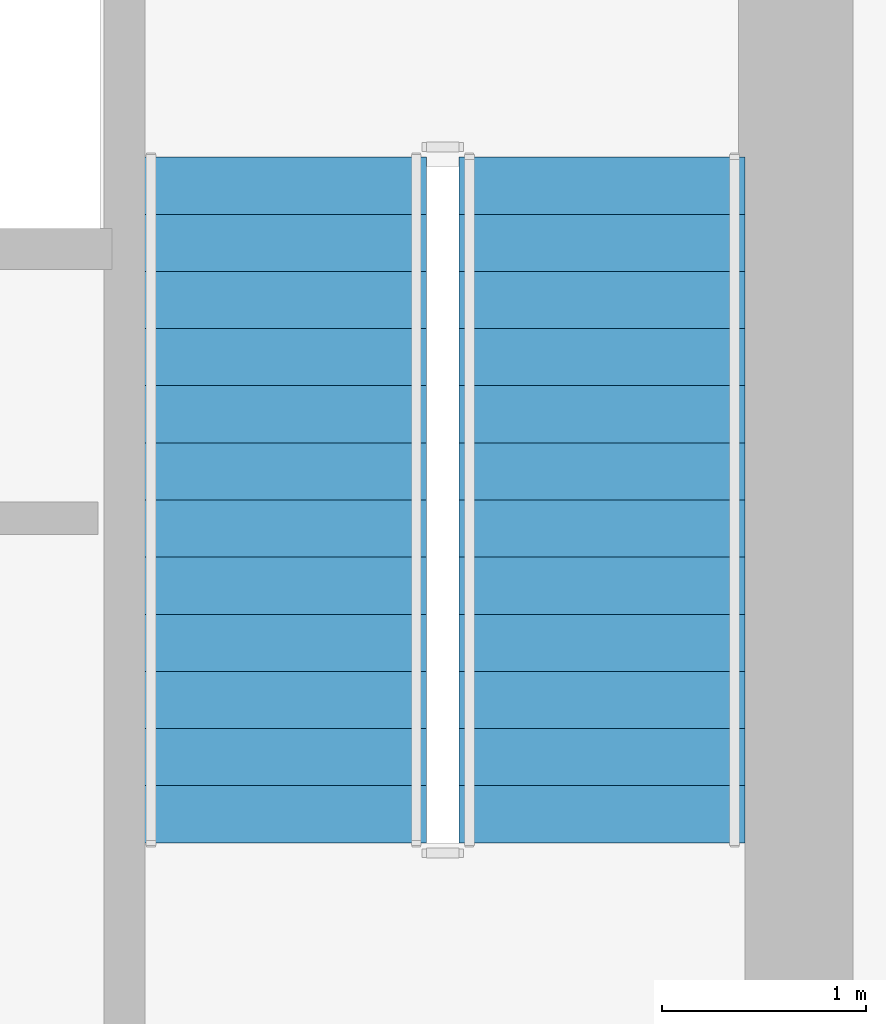
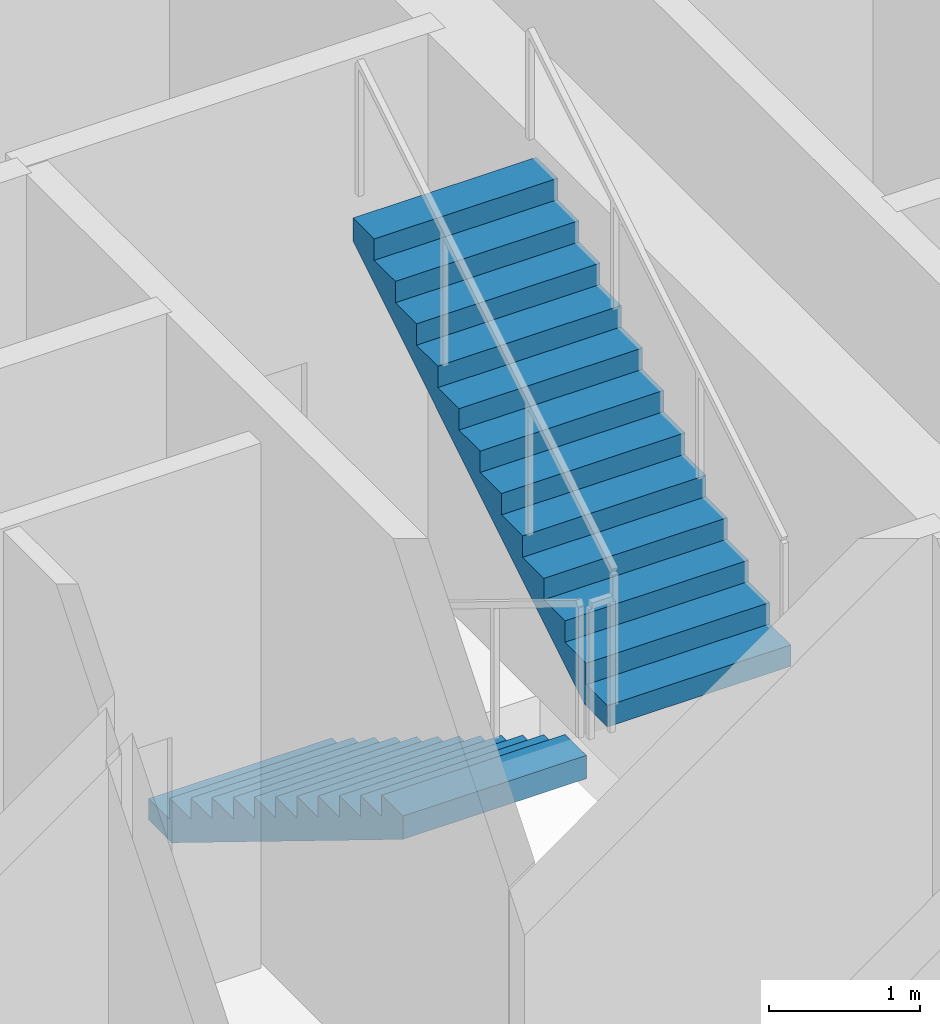
# One storey, part 7 of 9: 2 stair flights, 1 element without a shape of its own.
"""IFC4 building model written with IfcOpenShell, lengths in metres."""

from ifc_helpers import new_model, si_unit, direction, frame, origin, place, context, subcontext, project, spatial, polyline, outline, extrude, material, type_object, element, aggregate, save


model = new_model("IFC4")

# Units and contexts
model_context = context("Model", 3, precision=1e-05, world=origin(), true_north=direction((0.0, 1.0)))
body_context = subcontext(model_context, "Body", "Model", "MODEL_VIEW")
ifc_project = project(units=[si_unit("LENGTHUNIT", "METRE"), si_unit("AREAUNIT", "SQUARE_METRE"), si_unit("VOLUMEUNIT", "CUBIC_METRE"), si_unit("PLANEANGLEUNIT", "RADIAN"), si_unit("MASSUNIT", "GRAM", prefix="KILO")], contexts=[model_context])

# Site, building, storey
site_placement = place(None, origin())
site = spatial("IfcSite", under=ifc_project, at=site_placement, CompositionType="ELEMENT")
building_placement = place(site_placement, origin())
building = spatial("IfcBuilding", under=site, at=building_placement, Name="Veldorim Arch Residences", CompositionType="ELEMENT")
storey_placement = place(building_placement, frame((0.0, 0.0, 112.47998046875)))
storey = spatial("IfcBuildingStorey", under=building, at=storey_placement, Name="L33", CompositionType="ELEMENT", Elevation=112.47998046875)

# Stair, stair flights
ifc_material_1 = material(Name="Concrete C40/50", Category="concrete")
stair_type = type_object("IfcStairType", Name="Reinforced Concrete Dogleg Exit Staircase", PredefinedType="HALF_TURN_STAIR", material=ifc_material_1)
stair_placement = place(storey_placement, origin())
stair = element("IfcStair", 1, at=stair_placement, inside=storey, type_object=stair_type, Name="L33 Exit Staircase ST-2", PredefinedType="HALF_TURN_STAIR")
ifc_material_2 = material(Name="Concrete C40/50", Category="concrete")
stair_flight_type = type_object("IfcStairFlightType", Name="Reinforced Concrete Stair Flight 1400", PredefinedType="STRAIGHT", material=ifc_material_2)
stair_flight_1_placement = place(storey_placement, frame((34.989990234375, 25.85009765625, 0.0), z_axis=(0.0, 0.0, 1.0), x_axis=(0.0, -1.0, 0.0)))
stair_flight_1 = element("IfcStairFlight", 2, at=stair_flight_1_placement, type_object=stair_flight_type, Name="ST-2 flight 1", NumberOfRisers=13, NumberOfTreads=12, PredefinedType="STRAIGHT", RiserHeight=0.172307692, TreadLength=0.28, context=body_context, shape_type="SweptSolid", body=[
    extrude(outline(polyline([(0.0, 0.0), (0.0, 0.17236328125), (0.280029296875, 0.17236328125), (0.280029296875, 0.3447265625), (0.56005859375, 0.3447265625), (0.56005859375, 0.516845703125), (0.840087890625, 0.516845703125), (0.840087890625, 0.689208984375), (1.1201171875, 0.689208984375), (1.1201171875, 0.861572265625), (1.39990234375, 0.861572265625), (1.39990234375, 1.033935546875), (1.679931640625, 1.033935546875), (1.679931640625, 1.2060546875), (1.9599609375, 1.2060546875), (1.9599609375, 1.37841796875), (2.239990234375, 1.37841796875), (2.239990234375, 1.55078125), (2.52001953125, 1.55078125), (2.52001953125, 1.72314453125), (2.800048828125, 1.72314453125), (2.800048828125, 1.895263671875), (3.080078125, 1.895263671875), (3.080078125, 2.067626953125), (3.360107421875, 2.067626953125), (3.360107421875, 2.239990234375), (3.360107421875, 1.8798828125), (0.30517578125, 0.0), (0.0, 0.0)])), frame((0.0, 0.699951171875, 0.0), z_axis=(0.0, -1.0, 0.0), x_axis=(1.0, 0.0, 0.0)), (0.0, 0.0, 1.0), 1.39990234375),
])
stair_flight_2_placement = place(storey_placement, frame((36.550048828125, 22.489990234375, 2.239990234375), z_axis=(0.0, 0.0, 1.0), x_axis=(0.0, 1.0, 0.0)))
stair_flight_2 = element("IfcStairFlight", 3, at=stair_flight_2_placement, type_object=stair_flight_type, Name="ST-2 flight 2", NumberOfRisers=13, NumberOfTreads=12, PredefinedType="STRAIGHT", RiserHeight=0.172307692, TreadLength=0.28, context=body_context, shape_type="SweptSolid", body=[
    extrude(outline(polyline([(0.0, 0.0), (0.0, 0.17236328125), (0.280029296875, 0.17236328125), (0.280029296875, 0.3447265625), (0.56005859375, 0.3447265625), (0.56005859375, 0.516845703125), (0.840087890625, 0.516845703125), (0.840087890625, 0.689208984375), (1.1201171875, 0.689208984375), (1.1201171875, 0.861572265625), (1.39990234375, 0.861572265625), (1.39990234375, 1.033935546875), (1.679931640625, 1.033935546875), (1.679931640625, 1.2060546875), (1.9599609375, 1.2060546875), (1.9599609375, 1.37841796875), (2.239990234375, 1.37841796875), (2.239990234375, 1.55078125), (2.52001953125, 1.55078125), (2.52001953125, 1.72314453125), (2.800048828125, 1.72314453125), (2.800048828125, 1.895263671875), (3.080078125, 1.895263671875), (3.080078125, 2.067626953125), (3.360107421875, 2.067626953125), (3.360107421875, 2.239990234375), (3.360107421875, 1.8798828125), (0.30517578125, 0.0), (0.0, 0.0)])), frame((0.0, 0.699951171875, 0.0), z_axis=(0.0, -1.0, 0.0), x_axis=(1.0, 0.0, 0.0)), (0.0, 0.0, 1.0), 1.39990234375),
])
aggregate(stair, [stair_flight_1, stair_flight_2])

save(model, "model.ifc")
